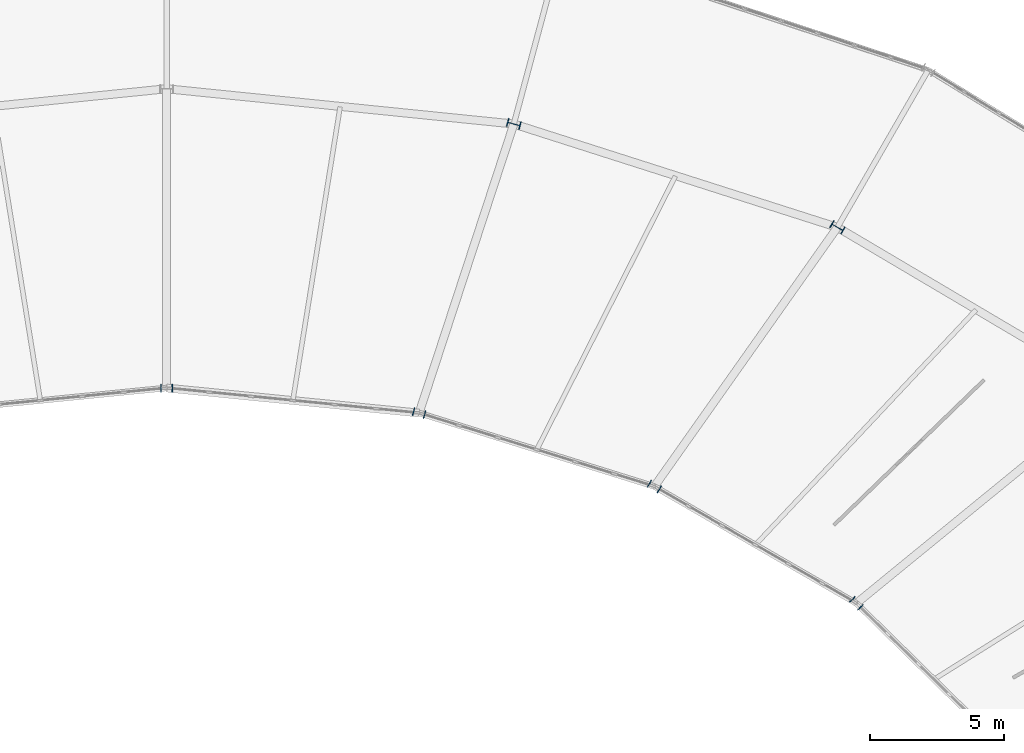
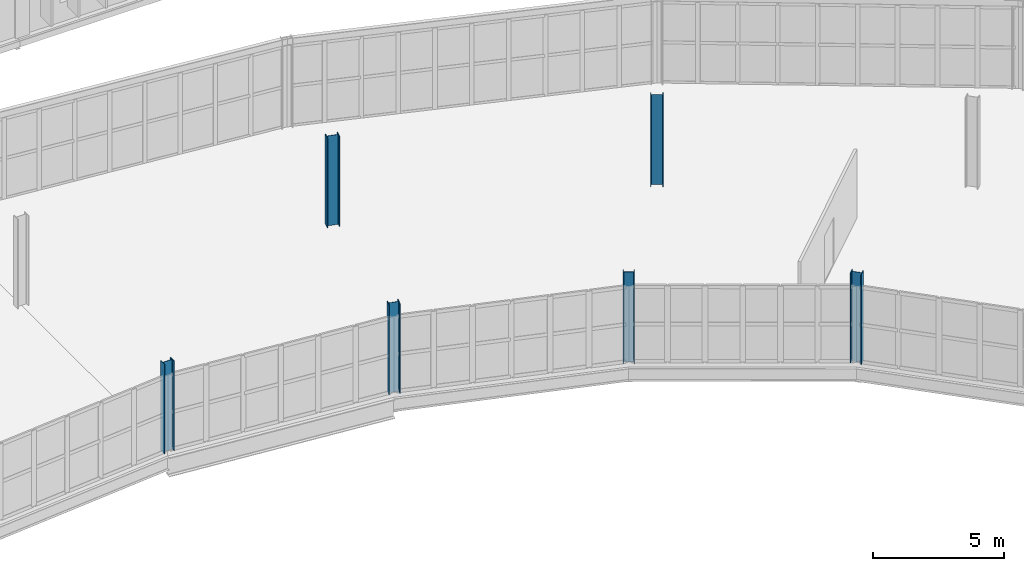
# One storey, part 16 of 161: 6 columns.
"""IFC4 building model written with IfcOpenShell, lengths in metres."""

from ifc_helpers import new_model, si_unit, direction, frame, origin, origin_2d, place, context, subcontext, project, spatial, i_section, extrude, material, material_profile, profile_set, type_object, element, save


model = new_model("IFC4")

# Units and contexts
model_context = context("Model", 3, precision=1e-05, world=origin(), true_north=direction((0.0, 1.0)))
body_context = subcontext(model_context, "Body", "Model", "MODEL_VIEW")
ifc_project = project(units=[si_unit("LENGTHUNIT", "METRE"), si_unit("AREAUNIT", "SQUARE_METRE"), si_unit("VOLUMEUNIT", "CUBIC_METRE"), si_unit("PLANEANGLEUNIT", "RADIAN"), si_unit("MASSUNIT", "GRAM", prefix="KILO")], contexts=[model_context])

# Site, building, storey
site_placement = place(None, origin())
site = spatial("IfcSite", under=ifc_project, at=site_placement, CompositionType="ELEMENT")
building_placement = place(site_placement, origin())
building = spatial("IfcBuilding", under=site, at=building_placement, Name="Kildeholm Park Wholesale Market", CompositionType="ELEMENT")
storey_placement = place(building_placement, frame((0.0, 0.0, 5.39990234375)))
storey = spatial("IfcBuildingStorey", under=building, at=storey_placement, Name="L01", CompositionType="ELEMENT", Elevation=5.39990234375)

# Columns
ifc_material = material(Name="Steel S355", Category="steel")
ifc_material_profile_1 = material_profile(ifc_material, i_section(OverallWidth=0.300048828125, OverallDepth=0.449951171875, WebThickness=0.013916015625, FlangeThickness=0.02587890625, FilletRadius=0.027099609375, at=origin_2d()), Name="HEB 450")
ifc_profile_set_1 = profile_set([ifc_material_profile_1], Name="Steel S355")
column_type_1 = type_object("IfcColumnType", Name="Column C-S06 HEB 450", PredefinedType="COLUMN", material=ifc_profile_set_1)
for number, where, z_axis, x_axis, name in (
    (1, (124.80908203125, 108.945068359375, 0.0), (0.0, 0.0, 1.0), (0.707106781187, 0.707106781187, 0.0), "Column V1-IN-03 L01 COL-0029"),
    (2, (117.25, 113.31591796875, 0.0), (0.0, 0.0, 1.0), (0.5, 0.866025403784, 0.0), "Column V1-IN-04 L01 COL-0038"),
    (3, (108.447021484375, 116.06298828125, 0.0), (0.0, 0.0, 1.0), (0.258819045103, 0.965925826289, 0.0), "Column V1-IN-05 L01 COL-0047"),
    (4, (99.0, 117.0, 0.0), (0.0, 0.0, 1.0), (0.0, 1.0, 0.0), "Column V1-IN-06 L01 COL-0056"),
):
    element("IfcColumn", number, at=place(storey_placement, frame(where, z_axis=z_axis, x_axis=x_axis)), inside=storey, type_object=column_type_1, Name=name, PredefinedType="COLUMN", context=body_context, shape_type="SweptSolid", body=[
        extrude(i_section(OverallWidth=0.300048828125, OverallDepth=0.449951171875, WebThickness=0.013916015625, FlangeThickness=0.02587890625, FilletRadius=0.027099609375, at=origin_2d()), origin(), (0.0, 0.0, 1.0), 4.2001953125),
    ])
ifc_material_profile_2 = material_profile(ifc_material, i_section(OverallWidth=0.300048828125, OverallDepth=0.5, WebThickness=0.014404296875, FlangeThickness=0.028076171875, FilletRadius=0.027099609375, at=origin_2d()), Name="HEB 500")
ifc_profile_set_2 = profile_set([ifc_material_profile_2], Name="Steel S355")
column_type_2 = type_object("IfcColumnType", Name="Column C-S07 HEB 500", PredefinedType="COLUMN", material=ifc_profile_set_2)
for number, where, z_axis, x_axis, name in (
    (5, (124.10009765625, 123.014892578125, 0.0), (0.0, 0.0, 1.0), (0.5, 0.866025403784, 0.0), "Column V1-MD-04 L01 COL-0041"),
    (6, (111.992919921875, 126.881103515625, 0.0), (0.0, 0.0, 1.0), (0.258819045103, 0.965925826289, 0.0), "Column V1-MD-05 L01 COL-0050"),
):
    element("IfcColumn", number, at=place(storey_placement, frame(where, z_axis=z_axis, x_axis=x_axis)), inside=storey, type_object=column_type_2, Name=name, PredefinedType="COLUMN", context=body_context, shape_type="SweptSolid", body=[
        extrude(i_section(OverallWidth=0.300048828125, OverallDepth=0.5, WebThickness=0.014404296875, FlangeThickness=0.028076171875, FilletRadius=0.027099609375, at=origin_2d()), origin(), (0.0, 0.0, 1.0), 4.2001953125),
    ])

save(model, "model.ifc")
